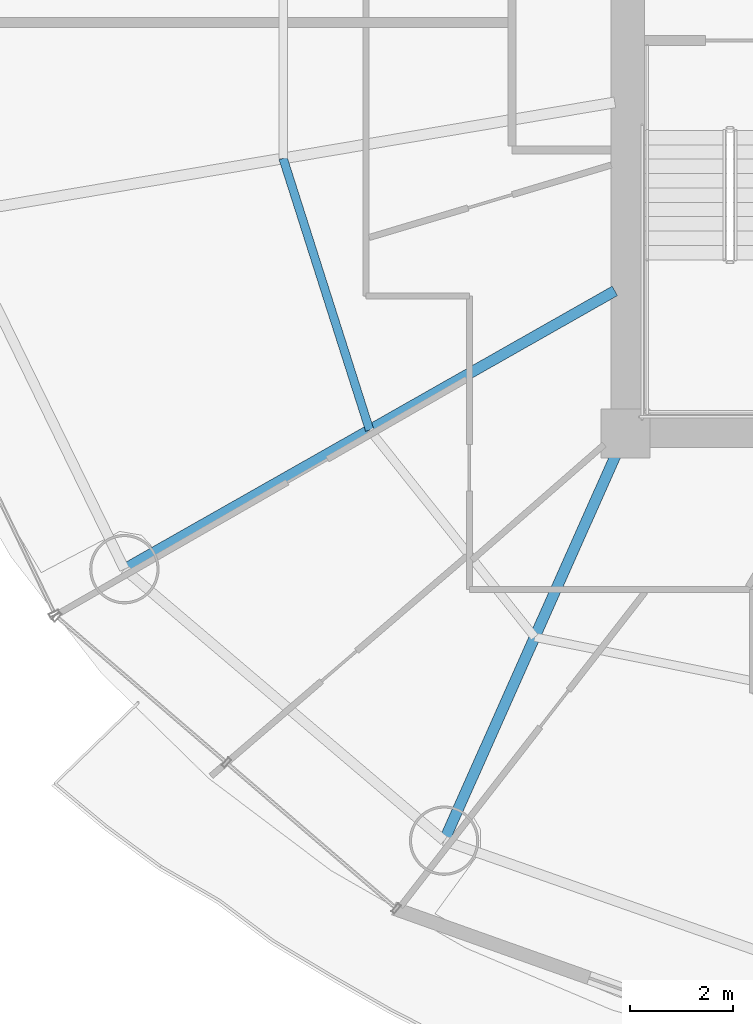
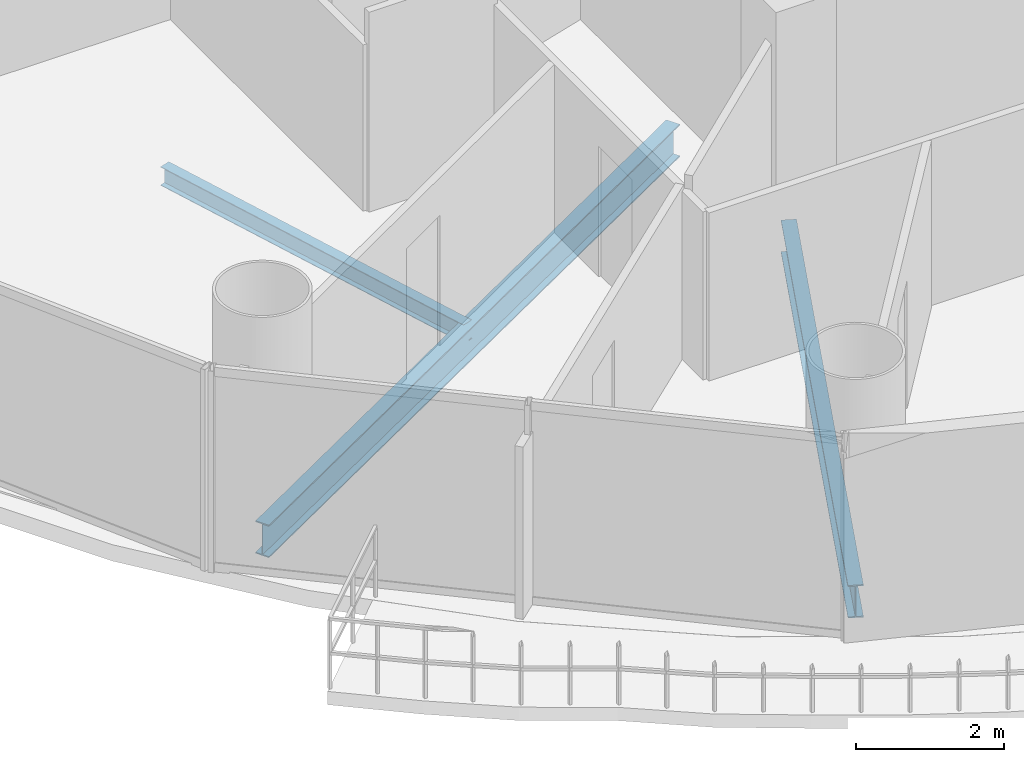
# One storey, part 4 of 27: 3 beams.
"""IFC4 building model written with IfcOpenShell, lengths in metres."""

from ifc_helpers import new_model, si_unit, direction, frame, origin, origin_2d, place, context, subcontext, project, spatial, i_section, extrude, material, material_profile, profile_set, type_object, element, save


model = new_model("IFC4")

# Units and contexts
model_context = context("Model", 3, precision=1e-05, world=origin(), true_north=direction((-0.2419218956, 0.970295726276)))
body_context = subcontext(model_context, "Body", "Model", "MODEL_VIEW")
ifc_project = project(units=[si_unit("LENGTHUNIT", "METRE"), si_unit("AREAUNIT", "SQUARE_METRE"), si_unit("VOLUMEUNIT", "CUBIC_METRE"), si_unit("PLANEANGLEUNIT", "RADIAN"), si_unit("MASSUNIT", "GRAM", prefix="KILO")], contexts=[model_context])

# Site, building, storey
site_placement = place(None, origin())
site = spatial("IfcSite", under=ifc_project, at=site_placement, CompositionType="ELEMENT")
building_placement = place(site_placement, origin())
building = spatial("IfcBuilding", under=site, at=building_placement, Name="Cobrevalo Terracotta Tower", CompositionType="ELEMENT")
storey_placement = place(building_placement, frame((0.0, 0.0, 160.60009765625)))
storey = spatial("IfcBuildingStorey", under=building, at=storey_placement, Name="L42", CompositionType="ELEMENT", Elevation=160.60009765625)

# Beams
ifc_material = material(Name="Steel S355", Category="steel")
ifc_material_profile_1 = material_profile(ifc_material, i_section(OverallWidth=0.2109375, OverallDepth=0.5390625, WebThickness=0.01171875, FlangeThickness=0.018798828125, at=origin_2d()), Name="W 530x109")
ifc_profile_set_1 = profile_set([ifc_material_profile_1], Name="Steel S355")
beam_type_1 = type_object("IfcBeamType", Name="Structural Beam W 530x109 (Steel S355)", PredefinedType="BEAM", material=ifc_profile_set_1)
beam_1_placement = place(storey_placement, frame((19.250244140625, 16.160888671875, -0.53955078125), z_axis=(0.869743726706, 0.493503647257, 0.0), x_axis=(-0.493503647257, 0.869743726706, 0.0)))
element("IfcBeam", 1, at=beam_1_placement, inside=storey, type_object=beam_type_1, Name="L42 radial floor girder 10", PredefinedType="BEAM", context=body_context, shape_type="SweptSolid", body=[
    extrude(i_section(OverallWidth=0.2109375, OverallDepth=0.5390625, WebThickness=0.01171875, FlangeThickness=0.018798828125, at=origin_2d()), origin(), (0.0, 0.0, 1.0), 10.97412109375),
])
beam_2_placement = place(storey_placement, frame((25.471923828125, 10.87744140625, -0.53955078125), z_axis=(0.406804395691, 0.913515289224, 0.0), x_axis=(-0.913515289224, 0.406804395691, 0.0)))
element("IfcBeam", 2, at=beam_2_placement, inside=storey, type_object=beam_type_1, Name="L42 radial floor girder 11", PredefinedType="BEAM", context=body_context, shape_type="SweptSolid", body=[
    extrude(i_section(OverallWidth=0.2109375, OverallDepth=0.5390625, WebThickness=0.01171875, FlangeThickness=0.018798828125, at=origin_2d()), origin(), (0.0, 0.0, 1.0), 8.672607421875),
])
ifc_material_profile_2 = material_profile(ifc_material, i_section(OverallWidth=0.1650390625, OverallDepth=0.31005859375, WebThickness=0.005859375, FlangeThickness=0.009765625, at=origin_2d()), Name="W 310x38.7")
ifc_profile_set_2 = profile_set([ifc_material_profile_2], Name="Steel S355")
beam_type_2 = type_object("IfcBeamType", Name="Structural Joist W 310x38.7 (Steel S355)", PredefinedType="JOIST", material=ifc_profile_set_2)
beam_3_placement = place(storey_placement, frame((22.339111328125, 24.154541015625, -0.425048828125), z_axis=(0.303497928386, -0.952832098255, 0.0), x_axis=(0.952832098255, 0.303497928386, 0.0)))
element("IfcBeam", 3, at=beam_3_placement, inside=storey, type_object=beam_type_2, Name="L42 circumferential secondary floor joist 09", PredefinedType="JOIST", context=body_context, shape_type="SweptSolid", body=[
    extrude(i_section(OverallWidth=0.1650390625, OverallDepth=0.31005859375, WebThickness=0.005859375, FlangeThickness=0.009765625, at=origin_2d()), origin(), (0.0, 0.0, 1.0), 5.54736328125),
])

save(model, "model.ifc")
